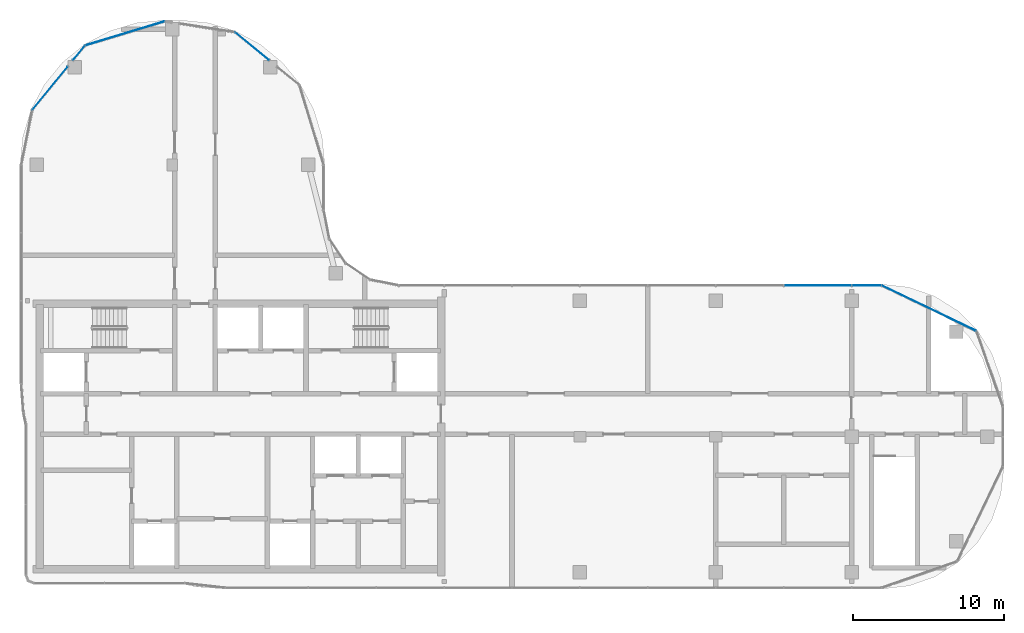
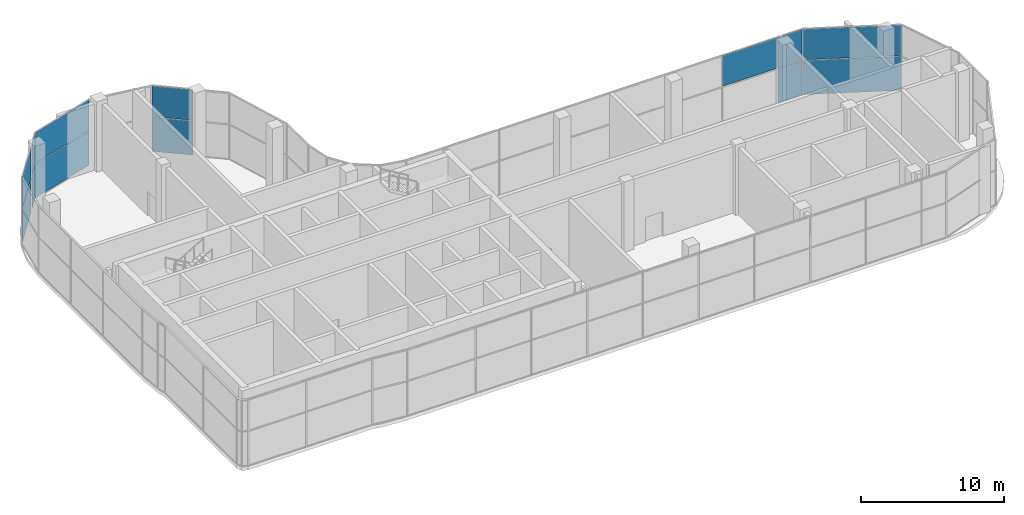
# One storey, part 14 of 21: 13 plates, 5 elements without a shape of their own.
"""IFC4 building model written with IfcOpenShell, lengths in metres."""

from ifc_helpers import new_model, si_unit, direction, frame, origin, origin_2d, place, context, subcontext, project, spatial, rectangle, extrude, material, layer, layer_set, type_object, element, aggregate, save


model = new_model("IFC4")

# Units and contexts
model_context = context("Model", 3, precision=1e-05, world=origin(), true_north=direction((0.0, 1.0)))
body_context = subcontext(model_context, "Body", "Model", "MODEL_VIEW")
ifc_project = project(units=[si_unit("LENGTHUNIT", "METRE"), si_unit("AREAUNIT", "SQUARE_METRE"), si_unit("VOLUMEUNIT", "CUBIC_METRE"), si_unit("PLANEANGLEUNIT", "RADIAN"), si_unit("MASSUNIT", "GRAM", prefix="KILO")], contexts=[model_context])

# Site, building, storey
site_placement = place(None, origin())
site = spatial("IfcSite", under=ifc_project, at=site_placement, CompositionType="ELEMENT")
building_placement = place(site_placement, origin())
building = spatial("IfcBuilding", under=site, at=building_placement, Name="Ogive Portal Towers", CompositionType="ELEMENT")
storey_placement = place(building_placement, frame((0.0, 0.0, 266.89990234375)))
storey = spatial("IfcBuildingStorey", under=building, at=storey_placement, Name="L65", CompositionType="ELEMENT", Elevation=266.89990234375)

# Curtain wall, plates
ifc_material = material(Name="Glass, clear low-iron insulated glazing", Category="glass")
curtain_wall_type = type_object("IfcCurtainWallType", Name="CW OBSERVATION WALL", PredefinedType="NOTDEFINED", material=ifc_material)
curtain_wall_1_placement = place(storey_placement, origin())
curtain_wall_1 = element("IfcCurtainWall", 1, at=curtain_wall_1_placement, inside=storey, type_object=curtain_wall_type, Name="A:L65:f11:cw0", PredefinedType="NOTDEFINED")
ifc_layer = layer(ifc_material, 0.028076171875)
ifc_layer_set = layer_set([ifc_layer], Name="CW PANEL IGU 28")
plate_type = type_object("IfcPlateType", Name="CW PANEL IGU 28", PredefinedType="CURTAIN_PANEL", material=ifc_layer_set)
plate_1_placement = place(storey_placement, frame((86.490966796875, 40.52001953125, 0.06005859375), z_axis=(0.0, 0.0, 1.0), x_axis=(-1.0, 0.0, 0.0)))
plate_1 = element("IfcPlate", 2, at=plate_1_placement, type_object=plate_type, Name="panel", PredefinedType="CURTAIN_PANEL", context=body_context, shape_type="SweptSolid", body=[
    extrude(rectangle(XDim=1.921630859375, YDim=0.028076171875, at=origin_2d()), origin(), (0.0, 0.0, 1.0), 2.909912109375),
])
plate_2_placement = place(storey_placement, frame((86.490966796875, 40.52001953125, 3.0302734375), z_axis=(0.0, 0.0, 1.0), x_axis=(-1.0, 0.0, 0.0)))
plate_2 = element("IfcPlate", 3, at=plate_2_placement, type_object=plate_type, Name="panel", PredefinedType="CURTAIN_PANEL", context=body_context, shape_type="SweptSolid", body=[
    extrude(rectangle(XDim=1.921630859375, YDim=0.028076171875, at=origin_2d()), origin(), (0.0, 0.0, 1.0), 2.610107421875),
])
plate_3_placement = place(storey_placement, frame((83.25, 40.52001953125, 3.0302734375), z_axis=(0.0, 0.0, 1.0), x_axis=(-1.0, 0.0, 0.0)))
plate_3 = element("IfcPlate", 4, at=plate_3_placement, type_object=plate_type, Name="panel", PredefinedType="CURTAIN_PANEL", context=body_context, shape_type="SweptSolid", body=[
    extrude(rectangle(XDim=4.43994140625, YDim=0.028076171875, at=origin_2d()), origin(), (0.0, 0.0, 1.0), 2.610107421875),
])
aggregate(curtain_wall_1, [plate_1, plate_2, plate_3])

curtain_wall_2_placement = place(storey_placement, origin())
curtain_wall_2 = element("IfcCurtainWall", 5, at=curtain_wall_2_placement, inside=storey, type_object=curtain_wall_type, Name="A:L65:f09:cwa", PredefinedType="NOTDEFINED")
plate_4_placement = place(storey_placement, frame((90.625, 39.00634765625, 0.06005859375), z_axis=(0.0, 0.0, 1.0), x_axis=(-0.900968867905, 0.433883739113, 0.0)))
plate_4 = element("IfcPlate", 6, at=plate_4_placement, type_object=plate_type, Name="panel", PredefinedType="CURTAIN_PANEL", context=body_context, shape_type="SweptSolid", body=[
    extrude(rectangle(XDim=6.91748046875, YDim=0.028076171875, at=origin_2d()), origin(), (0.0, 0.0, 1.0), 2.909912109375),
])
plate_5_placement = place(storey_placement, frame((90.625, 39.00634765625, 3.0302734375), z_axis=(0.0, 0.0, 1.0), x_axis=(-0.900968867905, 0.433883739113, 0.0)))
plate_5 = element("IfcPlate", 7, at=plate_5_placement, type_object=plate_type, Name="panel", PredefinedType="CURTAIN_PANEL", context=body_context, shape_type="SweptSolid", body=[
    extrude(rectangle(XDim=6.91748046875, YDim=0.028076171875, at=origin_2d()), origin(), (0.0, 0.0, 1.0), 2.610107421875),
])
aggregate(curtain_wall_2, [plate_4, plate_5])

curtain_wall_3_placement = place(storey_placement, origin())
curtain_wall_3 = element("IfcCurtainWall", 8, at=curtain_wall_3_placement, inside=storey, type_object=curtain_wall_type, Name="A:L65:f17:cwa~1", PredefinedType="NOTDEFINED")
plate_6_placement = place(storey_placement, frame((45.779541015625, 56.3583984375, 0.06005859375), z_axis=(0.0, 0.0, 1.0), x_axis=(-0.773010453363, 0.634393284164, 0.0)))
plate_6 = element("IfcPlate", 9, at=plate_6_placement, type_object=plate_type, Name="panel", PredefinedType="CURTAIN_PANEL", context=body_context, shape_type="SweptSolid", body=[
    extrude(rectangle(XDim=2.888671875, YDim=0.028076171875, at=origin_2d()), origin(), (0.0, 0.0, 1.0), 2.909912109375),
])
plate_7_placement = place(storey_placement, frame((45.779541015625, 56.3583984375, 3.0302734375), z_axis=(0.0, 0.0, 1.0), x_axis=(-0.773010453363, 0.634393284164, 0.0)))
plate_7 = element("IfcPlate", 10, at=plate_7_placement, type_object=plate_type, Name="panel", PredefinedType="CURTAIN_PANEL", context=body_context, shape_type="SweptSolid", body=[
    extrude(rectangle(XDim=2.888671875, YDim=0.028076171875, at=origin_2d()), origin(), (0.0, 0.0, 1.0), 2.610107421875),
])
aggregate(curtain_wall_3, [plate_6, plate_7])

curtain_wall_4_placement = place(storey_placement, origin())
curtain_wall_4 = element("IfcCurtainWall", 11, at=curtain_wall_4_placement, inside=storey, type_object=curtain_wall_type, Name="A:L65:f17:cwa~2", PredefinedType="NOTDEFINED")
plate_8_placement = place(storey_placement, frame((37.359375, 57.21533203125, 0.06005859375), z_axis=(0.0, 0.0, 1.0), x_axis=(-0.956940335732, -0.290284677254, 0.0)))
plate_8 = element("IfcPlate", 12, at=plate_8_placement, type_object=plate_type, Name="panel", PredefinedType="CURTAIN_PANEL", context=body_context, shape_type="SweptSolid", body=[
    extrude(rectangle(XDim=5.470947265625, YDim=0.028076171875, at=origin_2d()), origin(), (0.0, 0.0, 1.0), 2.909912109375),
])
plate_9_placement = place(storey_placement, frame((37.359375, 57.21533203125, 3.0302734375), z_axis=(0.0, 0.0, 1.0), x_axis=(-0.956940335732, -0.290284677254, 0.0)))
plate_9 = element("IfcPlate", 13, at=plate_9_placement, type_object=plate_type, Name="panel", PredefinedType="CURTAIN_PANEL", context=body_context, shape_type="SweptSolid", body=[
    extrude(rectangle(XDim=5.470947265625, YDim=0.028076171875, at=origin_2d()), origin(), (0.0, 0.0, 1.0), 2.610107421875),
])
plate_10_placement = place(storey_placement, frame((34.306884765625, 55.917724609375, 0.06005859375), z_axis=(0.0, 0.0, 1.0), x_axis=(-0.634393284164, -0.773010453363, 0.0)))
plate_10 = element("IfcPlate", 14, at=plate_10_placement, type_object=plate_type, Name="panel", PredefinedType="CURTAIN_PANEL", context=body_context, shape_type="SweptSolid", body=[
    extrude(rectangle(XDim=1.22021484375, YDim=0.028076171875, at=origin_2d()), origin(), (0.0, 0.0, 1.0), 2.909912109375),
])
plate_11_placement = place(storey_placement, frame((34.306884765625, 55.917724609375, 3.0302734375), z_axis=(0.0, 0.0, 1.0), x_axis=(-0.634393284164, -0.773010453363, 0.0)))
plate_11 = element("IfcPlate", 15, at=plate_11_placement, type_object=plate_type, Name="panel", PredefinedType="CURTAIN_PANEL", context=body_context, shape_type="SweptSolid", body=[
    extrude(rectangle(XDim=1.22021484375, YDim=0.028076171875, at=origin_2d()), origin(), (0.0, 0.0, 1.0), 2.610107421875),
])
aggregate(curtain_wall_4, [plate_8, plate_9, plate_10, plate_11])

curtain_wall_5_placement = place(storey_placement, origin())
curtain_wall_5 = element("IfcCurtainWall", 16, at=curtain_wall_5_placement, inside=storey, type_object=curtain_wall_type, Name="A:L65:f17:cwa~3", PredefinedType="NOTDEFINED")
plate_12_placement = place(storey_placement, frame((32.39111328125, 53.58349609375, 0.06005859375), z_axis=(0.0, 0.0, 1.0), x_axis=(-0.634393284164, -0.773010453363, 0.0)))
plate_12 = element("IfcPlate", 17, at=plate_12_placement, type_object=plate_type, Name="panel", PredefinedType="CURTAIN_PANEL", context=body_context, shape_type="SweptSolid", body=[
    extrude(rectangle(XDim=3.678466796875, YDim=0.028076171875, at=origin_2d()), origin(), (0.0, 0.0, 1.0), 2.909912109375),
])
plate_13_placement = place(storey_placement, frame((32.39111328125, 53.58349609375, 3.0302734375), z_axis=(0.0, 0.0, 1.0), x_axis=(-0.634393284164, -0.773010453363, 0.0)))
plate_13 = element("IfcPlate", 18, at=plate_13_placement, type_object=plate_type, Name="panel", PredefinedType="CURTAIN_PANEL", context=body_context, shape_type="SweptSolid", body=[
    extrude(rectangle(XDim=3.678466796875, YDim=0.028076171875, at=origin_2d()), origin(), (0.0, 0.0, 1.0), 2.610107421875),
])
aggregate(curtain_wall_5, [plate_12, plate_13])

save(model, "model.ifc")
